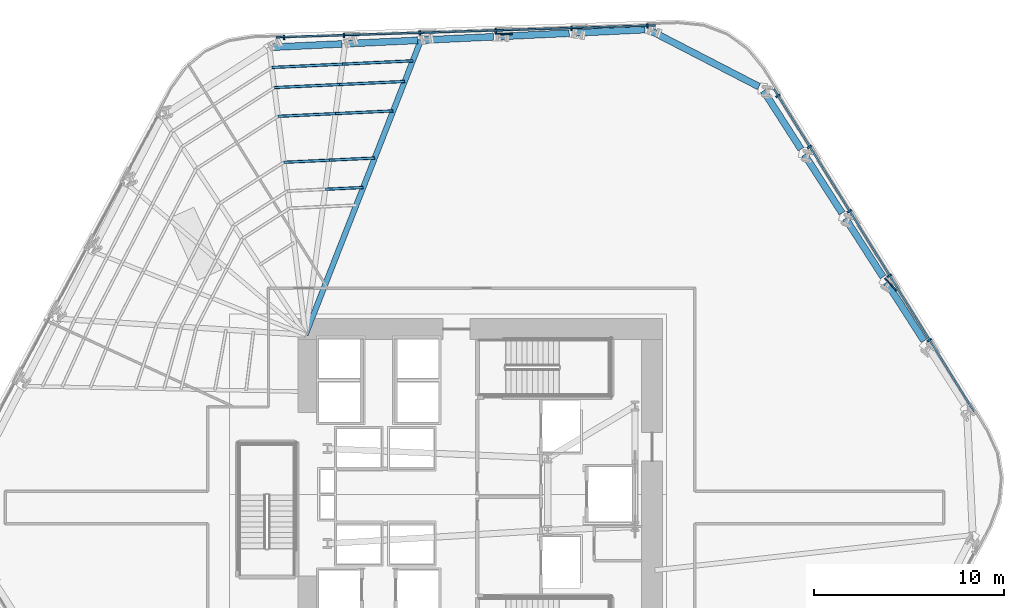
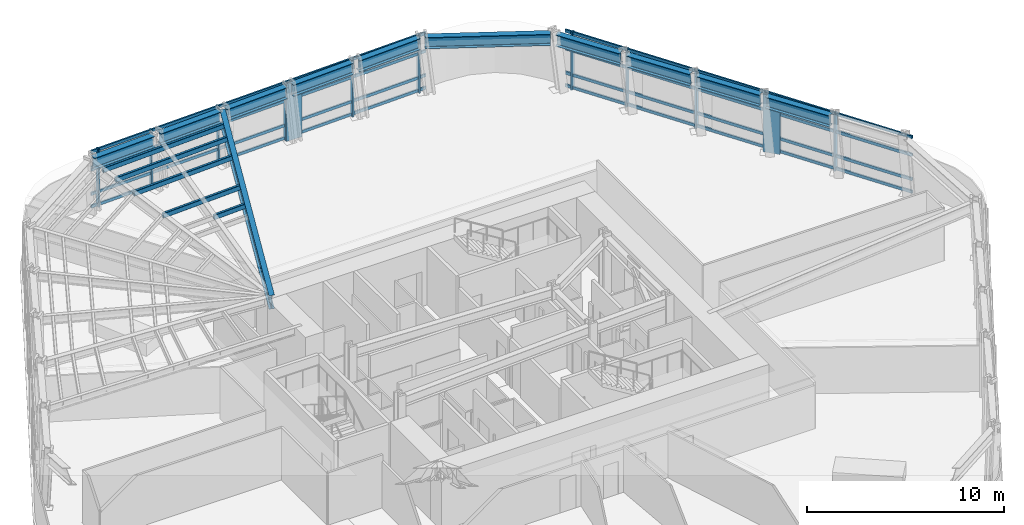
# One storey, part 6 of 15: 30 members, 11 beams, 2 elements without a shape of their own.
"""IFC4 building model written with IfcOpenShell, lengths in metres."""

from ifc_helpers import new_model, si_unit, direction, frame, origin, origin_2d, place, context, subcontext, project, spatial, rectangle, hollow_rectangle, i_section, extrude, material, layer, layer_set, material_profile, profile_set, type_object, element, aggregate, save


model = new_model("IFC4")

# Units and contexts
model_context = context("Model", 3, precision=1e-05, world=origin(), true_north=direction((0.0, 1.0)))
body_context = subcontext(model_context, "Body", "Model", "MODEL_VIEW")
ifc_project = project(units=[si_unit("LENGTHUNIT", "METRE"), si_unit("AREAUNIT", "SQUARE_METRE"), si_unit("VOLUMEUNIT", "CUBIC_METRE"), si_unit("PLANEANGLEUNIT", "RADIAN"), si_unit("MASSUNIT", "GRAM", prefix="KILO")], contexts=[model_context])

# Site, building, storey
site_placement = place(None, origin())
site = spatial("IfcSite", under=ifc_project, at=site_placement, CompositionType="ELEMENT")
building_placement = place(site_placement, origin())
building = spatial("IfcBuilding", under=site, at=building_placement, Name="Valkerne Bourse Tower", CompositionType="ELEMENT")
storey_placement = place(building_placement, frame((0.0, 0.0, 31.60009765625)))
storey = spatial("IfcBuildingStorey", under=building, at=storey_placement, Name="L07", CompositionType="ELEMENT", Elevation=31.60009765625)

# Beams
ifc_material_1 = material(Name="Steel ASTM A992", Category="steel")
ifc_material_profile_1 = material_profile(ifc_material_1, i_section(OverallWidth=0.358154296875, OverallDepth=0.7060546875, WebThickness=0.018310546875, FlangeThickness=0.0302734375, FilletRadius=0.02294921875, at=origin_2d()), Name="W27X178")
ifc_profile_set_1 = profile_set([ifc_material_profile_1], Name="Steel ASTM A992")
beam_type_1 = type_object("IfcBeamType", Name="BM-W27X178", PredefinedType="SPANDREL", material=ifc_profile_set_1)
for number, where, z_axis, x_axis, name in (
    (1, (70.169921875, 35.082275390625, 3.226806640625), (-0.540301877789, 0.841471259674, 0.0), (-0.841471259674, -0.540301877789, 0.0), "L07 Hexagonal Spandrel Ring Beam 01"),
    (2, (68.010986328125, 38.44482421875, 3.226806640625), (-0.540224232621, 0.841521109949, 0.0), (-0.841521109949, -0.540224232621, 0.0), "L07 Hexagonal Spandrel Ring Beam 02"),
    (3, (65.852294921875, 41.8076171875, 3.226806640625), (-0.540301877789, 0.841471259674, 0.0), (-0.841471259674, -0.540301877789, 0.0), "L07 Hexagonal Spandrel Ring Beam 03"),
):
    element("IfcBeam", number, at=place(storey_placement, frame(where, z_axis=z_axis, x_axis=x_axis)), inside=storey, type_object=beam_type_1, Name=name, PredefinedType="SPANDREL", context=body_context, shape_type="SweptSolid", body=[
        extrude(i_section(OverallWidth=0.358154296875, OverallDepth=0.7060546875, WebThickness=0.018310546875, FlangeThickness=0.0302734375, FilletRadius=0.02294921875, at=origin_2d()), origin(), (0.0, 0.0, 1.0), 3.656005859375),
    ])
beam_1_placement = place(storey_placement, frame((63.693359375, 45.17041015625, 3.226806640625), z_axis=(-0.540254591378, 0.841501620019, 0.0), x_axis=(-0.841501620019, -0.540254591378, 0.0)))
element("IfcBeam", 4, at=beam_1_placement, inside=storey, type_object=beam_type_1, Name="L07 Hexagonal Spandrel Ring Beam 04", PredefinedType="SPANDREL", context=body_context, shape_type="SweptSolid", body=[
    extrude(i_section(OverallWidth=0.358154296875, OverallDepth=0.7060546875, WebThickness=0.018310546875, FlangeThickness=0.0302734375, FilletRadius=0.02294921875, at=origin_2d()), origin(), (0.0, 0.0, 1.0), 3.65576171875),
])
beam_2_placement = place(storey_placement, frame((61.475341796875, 48.468017578125, 3.226806640625), z_axis=(-0.888629699754, 0.458625399116, 0.0), x_axis=(-0.458625399116, -0.888629699754, 0.0)))
element("IfcBeam", 5, at=beam_2_placement, inside=storey, type_object=beam_type_1, Name="L07 Hexagonal Spandrel Ring Beam 05", PredefinedType="SPANDREL", context=body_context, shape_type="SweptSolid", body=[
    extrude(i_section(OverallWidth=0.358154296875, OverallDepth=0.7060546875, WebThickness=0.018310546875, FlangeThickness=0.0302734375, FilletRadius=0.02294921875, at=origin_2d()), origin(), (0.0, 0.0, 1.0), 6.38916015625),
])
beam_3_placement = place(storey_placement, frame((55.47705078125, 51.468017578125, 3.226806640625), z_axis=(-0.998891135825, -0.047079706562, 0.0), x_axis=(0.047079706562, -0.998891135825, 0.0)))
element("IfcBeam", 6, at=beam_3_placement, inside=storey, type_object=beam_type_1, Name="L07 Hexagonal Spandrel Ring Beam 06", PredefinedType="SPANDREL", context=body_context, shape_type="SweptSolid", body=[
    extrude(i_section(OverallWidth=0.358154296875, OverallDepth=0.7060546875, WebThickness=0.018310546875, FlangeThickness=0.0302734375, FilletRadius=0.02294921875, at=origin_2d()), origin(), (0.0, 0.0, 1.0), 3.656005859375),
])
for number, where, z_axis, x_axis, name in (
    (7, (51.485595703125, 51.27978515625, 3.226806640625), (-0.998891283828, -0.047076566288, 0.0), (0.047076566288, -0.998891283828, 0.0), "L07 Hexagonal Spandrel Ring Beam 07"),
    (8, (47.493896484375, 51.091552734375, 3.226806640625), (-0.998891283828, -0.047076566288, 0.0), (0.047076566288, -0.998891283828, 0.0), "L07 Hexagonal Spandrel Ring Beam 08"),
):
    element("IfcBeam", number, at=place(storey_placement, frame(where, z_axis=z_axis, x_axis=x_axis)), inside=storey, type_object=beam_type_1, Name=name, PredefinedType="SPANDREL", context=body_context, shape_type="SweptSolid", body=[
        extrude(i_section(OverallWidth=0.358154296875, OverallDepth=0.7060546875, WebThickness=0.018310546875, FlangeThickness=0.0302734375, FilletRadius=0.02294921875, at=origin_2d()), origin(), (0.0, 0.0, 1.0), 3.65625),
    ])
for number, where, z_axis, x_axis, name in (
    (9, (43.502197265625, 50.9033203125, 3.226806640625), (-0.998891135825, -0.047079706562, 0.0), (0.047079706562, -0.998891135825, 0.0), "L07 Hexagonal Spandrel Ring Beam 09"),
    (10, (39.5107421875, 50.715087890625, 3.226806640625), (-0.998891135825, -0.047079706562, 0.0), (0.047079706562, -0.998891135825, 0.0), "L07 Hexagonal Spandrel Ring Beam 10"),
):
    element("IfcBeam", number, at=place(storey_placement, frame(where, z_axis=z_axis, x_axis=x_axis)), inside=storey, type_object=beam_type_1, Name=name, PredefinedType="SPANDREL", context=body_context, shape_type="SweptSolid", body=[
        extrude(i_section(OverallWidth=0.358154296875, OverallDepth=0.7060546875, WebThickness=0.018310546875, FlangeThickness=0.0302734375, FilletRadius=0.02294921875, at=origin_2d()), origin(), (0.0, 0.0, 1.0), 3.656005859375),
    ])
ifc_material_profile_2 = material_profile(ifc_material_1, i_section(OverallWidth=0.2919921875, OverallDepth=0.8583984375, WebThickness=0.01708984375, FlangeThickness=0.031005859375, FilletRadius=0.025390625, at=origin_2d()), Name="W33X169")
ifc_profile_set_2 = profile_set([ifc_material_profile_2], Name="Steel ASTM A992")
beam_type_2 = type_object("IfcBeamType", Name="BM-W33X169", PredefinedType="BEAM", material=ifc_profile_set_2)
beam_4_placement = place(storey_placement, frame((43.672119140625, 50.911376953125, 3.150634765625), z_axis=(-0.364519816497, -0.931195631101, 0.0), x_axis=(0.931195631101, -0.364519816497, 0.0)))
element("IfcBeam", 11, at=beam_4_placement, inside=storey, type_object=beam_type_2, Name="L07 Radial Composite Floor Beam 09", PredefinedType="BEAM", context=body_context, shape_type="SweptSolid", body=[
    extrude(i_section(OverallWidth=0.2919921875, OverallDepth=0.8583984375, WebThickness=0.01708984375, FlangeThickness=0.031005859375, FilletRadius=0.025390625, at=origin_2d()), origin(), (0.0, 0.0, 1.0), 16.657470703125),
])

# Curtain wall, members
ifc_material_2 = material(Name="Aluminium AA 6063-T6", Category="aluminium")
ifc_layer = layer(ifc_material_2, 0.22509765625)
ifc_layer_set = layer_set([ifc_layer], Name="Aluminium AA 6063-T6")
curtain_wall_type = type_object("IfcCurtainWallType", Name="CW-01", PredefinedType="NOTDEFINED", material=ifc_layer_set)
curtain_wall_1_placement = place(storey_placement, origin())
curtain_wall_1 = element("IfcCurtainWall", 12, at=curtain_wall_1_placement, inside=storey, type_object=curtain_wall_type, Name="L07 Hexagonal Stick Curtain Wall Face 1", PredefinedType="NOTDEFINED")
ifc_material_profile_3 = material_profile(ifc_material_2, rectangle(XDim=0.090087890625, YDim=0.239990234375, at=origin_2d()), Name="CWM-90X240")
ifc_profile_set_3 = profile_set([ifc_material_profile_3], Name="Aluminium AA 6063-T6")
member_type_1 = type_object("IfcMemberType", Name="CW-MUL-240X90", PredefinedType="MULLION", material=ifc_profile_set_3)
member_1_placement = place(storey_placement, frame((70.450927734375, 35.105712890625, 0.0), z_axis=(0.0, 0.0, 1.0), x_axis=(-0.52696099926, 0.849889466495, 0.0)))
member_1 = element("IfcMember", 13, at=member_1_placement, type_object=member_type_1, Name="CW-L07-F1 Jamb Mullion 01A", PredefinedType="MULLION", context=body_context, shape_type="SweptSolid", body=[
    extrude(rectangle(XDim=0.090087890625, YDim=0.239990234375, at=origin_2d()), origin(), (0.0, 0.0, 1.0), 3.579833984375),
])
member_2_placement = place(storey_placement, frame((68.34521484375, 38.501953125, 0.0), z_axis=(0.0, 0.0, 1.0), x_axis=(-0.52696786733, 0.849885208014, 0.0)))
member_2 = element("IfcMember", 14, at=member_2_placement, type_object=member_type_1, Name="CW-L07-F1 Jamb Mullion 02A", PredefinedType="MULLION", context=body_context, shape_type="SweptSolid", body=[
    extrude(rectangle(XDim=0.090087890625, YDim=0.239990234375, at=origin_2d()), origin(), (0.0, 0.0, 1.0), 3.579833984375),
])
member_3_placement = place(storey_placement, frame((66.239501953125, 41.898193359375, 0.0), z_axis=(0.0, 0.0, 1.0), x_axis=(-0.526949791595, 0.849896415534, 0.0)))
member_3 = element("IfcMember", 15, at=member_3_placement, type_object=member_type_1, Name="CW-L07-F1 Jamb Mullion 03A", PredefinedType="MULLION", context=body_context, shape_type="SweptSolid", body=[
    extrude(rectangle(XDim=0.090087890625, YDim=0.239990234375, at=origin_2d()), origin(), (0.0, 0.0, 1.0), 3.579833984375),
])
member_4_placement = place(storey_placement, frame((64.1337890625, 45.294189453125, 0.0), z_axis=(0.0, 0.0, 1.0), x_axis=(-0.52696099926, 0.849889466495, 0.0)))
member_4 = element("IfcMember", 16, at=member_4_placement, type_object=member_type_1, Name="CW-L07-F1 Jamb Mullion 04A", PredefinedType="MULLION", context=body_context, shape_type="SweptSolid", body=[
    extrude(rectangle(XDim=0.090087890625, YDim=0.239990234375, at=origin_2d()), origin(), (0.0, 0.0, 1.0), 3.579833984375),
])
member_5_placement = place(storey_placement, frame((62.470703125, 47.9765625, 0.0), z_axis=(0.0, 0.0, 1.0), x_axis=(-0.52696099926, 0.849889466495, 0.0)))
member_5 = element("IfcMember", 17, at=member_5_placement, type_object=member_type_1, Name="CW-L07-F1 Jamb Mullion 04B", PredefinedType="MULLION", context=body_context, shape_type="SweptSolid", body=[
    extrude(rectangle(XDim=0.090087890625, YDim=0.239990234375, at=origin_2d()), origin(), (0.0, 0.0, 1.0), 3.579833984375),
])

curtain_wall_2_placement = place(storey_placement, origin())
curtain_wall_2 = element("IfcCurtainWall", 18, at=curtain_wall_2_placement, inside=storey, type_object=curtain_wall_type, Name="L07 Hexagonal Stick Curtain Wall Face 2", PredefinedType="NOTDEFINED")
member_6_placement = place(storey_placement, frame((55.599609375, 51.66064453125, 0.0), z_axis=(0.0, 0.0, 1.0), x_axis=(-0.999506690045, -0.031406632347, 0.0)))
member_6 = element("IfcMember", 19, at=member_6_placement, type_object=member_type_1, Name="CW-L07-F2 Jamb Mullion 00A", PredefinedType="MULLION", context=body_context, shape_type="SweptSolid", body=[
    extrude(rectangle(XDim=0.090087890625, YDim=0.239990234375, at=origin_2d()), origin(), (0.0, 0.0, 1.0), 3.579833984375),
])
member_7_placement = place(storey_placement, frame((51.605712890625, 51.53515625, 0.0), z_axis=(0.0, 0.0, 1.0), x_axis=(-0.999506714728, -0.031405846795, 0.0)))
member_7 = element("IfcMember", 20, at=member_7_placement, type_object=member_type_1, Name="CW-L07-F2 Jamb Mullion 01A", PredefinedType="MULLION", context=body_context, shape_type="SweptSolid", body=[
    extrude(rectangle(XDim=0.090087890625, YDim=0.239990234375, at=origin_2d()), origin(), (0.0, 0.0, 1.0), 3.579833984375),
])
member_8_placement = place(storey_placement, frame((47.611572265625, 51.40966796875, 0.0), z_axis=(0.0, 0.0, 1.0), x_axis=(-0.999506690045, -0.031406632347, 0.0)))
member_8 = element("IfcMember", 21, at=member_8_placement, type_object=member_type_1, Name="CW-L07-F2 Jamb Mullion 02A", PredefinedType="MULLION", context=body_context, shape_type="SweptSolid", body=[
    extrude(rectangle(XDim=0.090087890625, YDim=0.239990234375, at=origin_2d()), origin(), (0.0, 0.0, 1.0), 3.579833984375),
])
member_9_placement = place(storey_placement, frame((43.61767578125, 51.2841796875, 0.0), z_axis=(0.0, 0.0, 1.0), x_axis=(-0.999506690045, -0.031406632347, 0.0)))
member_9 = element("IfcMember", 22, at=member_9_placement, type_object=member_type_1, Name="CW-L07-F2 Jamb Mullion 03A", PredefinedType="MULLION", context=body_context, shape_type="SweptSolid", body=[
    extrude(rectangle(XDim=0.090087890625, YDim=0.239990234375, at=origin_2d()), origin(), (0.0, 0.0, 1.0), 3.579833984375),
])
member_10_placement = place(storey_placement, frame((39.62353515625, 51.15869140625, 0.0), z_axis=(0.0, 0.0, 1.0), x_axis=(-0.999506690045, -0.031406632347, 0.0)))
member_10 = element("IfcMember", 23, at=member_10_placement, type_object=member_type_1, Name="CW-L07-F2 Jamb Mullion 04A", PredefinedType="MULLION", context=body_context, shape_type="SweptSolid", body=[
    extrude(rectangle(XDim=0.090087890625, YDim=0.239990234375, at=origin_2d()), origin(), (0.0, 0.0, 1.0), 3.579833984375),
])
member_11_placement = place(storey_placement, frame((36.46923828125, 51.0595703125, 0.0), z_axis=(0.0, 0.0, 1.0), x_axis=(-0.999506690045, -0.031406632347, 0.0)))
member_11 = element("IfcMember", 24, at=member_11_placement, type_object=member_type_1, Name="CW-L07-F2 Jamb Mullion 04B", PredefinedType="MULLION", context=body_context, shape_type="SweptSolid", body=[
    extrude(rectangle(XDim=0.090087890625, YDim=0.239990234375, at=origin_2d()), origin(), (0.0, 0.0, 1.0), 3.579833984375),
])

# Member
ifc_material_profile_4 = material_profile(ifc_material_2, rectangle(XDim=0.090087890625, YDim=0.179931640625, at=origin_2d()), Name="CWT-90X180")
ifc_profile_set_4 = profile_set([ifc_material_profile_4], Name="Aluminium AA 6063-T6")
member_type_2 = type_object("IfcMemberType", Name="CW-TRN-180X90", PredefinedType="USERDEFINED", material=ifc_profile_set_4)
member_12_placement = place(storey_placement, frame((72.795166015625, 31.36328125, 0.119873046875), z_axis=(-0.526958557321, 0.849890980577, 0.0), x_axis=(-0.849890980577, -0.526958557321, 0.0)))
member_12 = element("IfcMember", 25, at=member_12_placement, type_object=member_type_2, Name="CW-L07-F1 Continuous Face Transom 1", ObjectType="TRANSOM", PredefinedType="USERDEFINED", context=body_context, shape_type="SweptSolid", body=[
    extrude(rectangle(XDim=0.090087890625, YDim=0.179931640625, at=origin_2d()), origin(), (0.0, 0.0, 1.0), 19.97998046875),
])

member_13_placement = place(storey_placement, frame((72.795166015625, 31.36328125, 0.89990234375), z_axis=(-0.526958557321, 0.849890980577, 0.0), x_axis=(-0.849890980577, -0.526958557321, 0.0)))
member_13 = element("IfcMember", 26, at=member_13_placement, type_object=member_type_2, Name="CW-L07-F1 Continuous Face Transom 2", ObjectType="TRANSOM", PredefinedType="USERDEFINED", context=body_context, shape_type="SweptSolid", body=[
    extrude(rectangle(XDim=0.090087890625, YDim=0.179931640625, at=origin_2d()), origin(), (0.0, 0.0, 1.0), 19.97998046875),
])

member_14_placement = place(storey_placement, frame((72.795166015625, 31.36328125, 2.39990234375), z_axis=(-0.526958557321, 0.849890980577, 0.0), x_axis=(-0.849890980577, -0.526958557321, 0.0)))
member_14 = element("IfcMember", 27, at=member_14_placement, type_object=member_type_2, Name="CW-L07-F1 Continuous Face Transom 3", ObjectType="TRANSOM", PredefinedType="USERDEFINED", context=body_context, shape_type="SweptSolid", body=[
    extrude(rectangle(XDim=0.090087890625, YDim=0.179931640625, at=origin_2d()), origin(), (0.0, 0.0, 1.0), 19.97998046875),
])

member_15_placement = place(storey_placement, frame((72.795166015625, 31.36328125, 3.5), z_axis=(-0.526958557321, 0.849890980577, 0.0), x_axis=(-0.849890980577, -0.526958557321, 0.0)))
member_15 = element("IfcMember", 28, at=member_15_placement, type_object=member_type_2, Name="CW-L07-F1 Continuous Face Transom 4", ObjectType="TRANSOM", PredefinedType="USERDEFINED", context=body_context, shape_type="SweptSolid", body=[
    extrude(rectangle(XDim=0.090087890625, YDim=0.179931640625, at=origin_2d()), origin(), (0.0, 0.0, 1.0), 19.97998046875),
])

aggregate(curtain_wall_1, [member_12, member_13, member_14, member_15, member_1, member_2, member_3, member_4, member_5])

member_16_placement = place(storey_placement, frame((56.018798828125, 51.69384765625, 0.119873046875), z_axis=(-0.999506780653, -0.031403748625, 0.0), x_axis=(0.031403748625, -0.999506780653, 0.0)))
member_16 = element("IfcMember", 29, at=member_16_placement, type_object=member_type_2, Name="CW-L07-F2 Continuous Face Transom 1", ObjectType="TRANSOM", PredefinedType="USERDEFINED", context=body_context, shape_type="SweptSolid", body=[
    extrude(rectangle(XDim=0.090087890625, YDim=0.179931640625, at=origin_2d()), origin(), (0.0, 0.0, 1.0), 19.979736328125),
])

member_17_placement = place(storey_placement, frame((56.018798828125, 51.69384765625, 0.89990234375), z_axis=(-0.999506780653, -0.031403748625, 0.0), x_axis=(0.031403748625, -0.999506780653, 0.0)))
member_17 = element("IfcMember", 30, at=member_17_placement, type_object=member_type_2, Name="CW-L07-F2 Continuous Face Transom 2", ObjectType="TRANSOM", PredefinedType="USERDEFINED", context=body_context, shape_type="SweptSolid", body=[
    extrude(rectangle(XDim=0.090087890625, YDim=0.179931640625, at=origin_2d()), origin(), (0.0, 0.0, 1.0), 19.979736328125),
])

member_18_placement = place(storey_placement, frame((56.018798828125, 51.69384765625, 2.39990234375), z_axis=(-0.999506780653, -0.031403748625, 0.0), x_axis=(0.031403748625, -0.999506780653, 0.0)))
member_18 = element("IfcMember", 31, at=member_18_placement, type_object=member_type_2, Name="CW-L07-F2 Continuous Face Transom 3", ObjectType="TRANSOM", PredefinedType="USERDEFINED", context=body_context, shape_type="SweptSolid", body=[
    extrude(rectangle(XDim=0.090087890625, YDim=0.179931640625, at=origin_2d()), origin(), (0.0, 0.0, 1.0), 19.979736328125),
])

member_19_placement = place(storey_placement, frame((56.018798828125, 51.69384765625, 3.5), z_axis=(-0.999506780653, -0.031403748625, 0.0), x_axis=(0.031403748625, -0.999506780653, 0.0)))
member_19 = element("IfcMember", 32, at=member_19_placement, type_object=member_type_2, Name="CW-L07-F2 Continuous Face Transom 4", ObjectType="TRANSOM", PredefinedType="USERDEFINED", context=body_context, shape_type="SweptSolid", body=[
    extrude(rectangle(XDim=0.090087890625, YDim=0.179931640625, at=origin_2d()), origin(), (0.0, 0.0, 1.0), 19.979736328125),
])

aggregate(curtain_wall_2, [member_16, member_17, member_18, member_19, member_6, member_7, member_8, member_9, member_10, member_11])

# Members
ifc_material_3 = material(Name="Bronze Anodised Aluminium AA 6063-T6", Category="aluminium")
ifc_material_profile_5 = material_profile(ifc_material_3, rectangle(XDim=0.070068359375, YDim=0.89990234375, at=origin_2d()), Name="FIN-70X900")
ifc_profile_set_5 = profile_set([ifc_material_profile_5], Name="Bronze Anodised Aluminium AA 6063-T6")
member_type_3 = type_object("IfcMemberType", Name="FIN-SOLAR-900", PredefinedType="USERDEFINED", material=ifc_profile_set_5)
for number, where, z_axis, x_axis, name in (
    (33, (68.413818359375, 38.050048828125, 0.00390625), (0.0, 0.0, 1.0), (0.741325899526, 0.671145223251, 0.0), "L07 Bronze Anodised Solar Fin F1-02"),
    (34, (48.037109375, 51.242919921875, 0.00390625), (0.0, 0.0, 1.0), (0.020638894087, 0.99978699534, 0.0), "L07 Bronze Anodised Solar Fin F2-02"),
):
    element("IfcMember", number, at=place(storey_placement, frame(where, z_axis=z_axis, x_axis=x_axis)), inside=storey, type_object=member_type_3, Name=name, ObjectType="SOLAR_FIN", PredefinedType="USERDEFINED", context=body_context, shape_type="SweptSolid", body=[
        extrude(rectangle(XDim=0.070068359375, YDim=0.89990234375, at=origin_2d()), origin(), (0.0, 0.0, 1.0), 3.572021484375),
    ])
ifc_material_4 = material(Name="Steel ASTM A500 Grade C", Category="steel")
ifc_material_profile_6 = material_profile(ifc_material_4, hollow_rectangle(XDim=0.14990234375, YDim=0.300048828125, WallThickness=0.012451171875, OuterFilletRadius=0.02490234375, at=origin_2d()), Name="HSS300X150X12.5")
ifc_profile_set_6 = profile_set([ifc_material_profile_6], Name="Steel ASTM A500 Grade C")
member_type_4 = type_object("IfcMemberType", Name="MBR-HSS300X150X12.5", PredefinedType="PURLIN", material=ifc_profile_set_6)
member_20_placement = place(storey_placement, frame((40.635986328125, 43.15576171875, 3.419921875), z_axis=(-0.998886860152, -0.04717033619, 0.0), x_axis=(0.04717033619, -0.998886860152, 0.0)))
element("IfcMember", 35, at=member_20_placement, inside=storey, type_object=member_type_4, Name="L07 Secondary Composite Floor Purlin M-09", PredefinedType="PURLIN", context=body_context, shape_type="SweptSolid", body=[
    extrude(hollow_rectangle(XDim=0.14990234375, YDim=0.300048828125, WallThickness=0.012451171875, OuterFilletRadius=0.02490234375, at=origin_2d()), origin(), (0.0, 0.0, 1.0), 1.997802734375),
])
member_21_placement = place(storey_placement, frame((42.21484375, 47.188720703125, 3.419921875), z_axis=(-0.998889678721, -0.047110611809, 0.0), x_axis=(0.047110611809, -0.998889678721, 0.0)))
element("IfcMember", 36, at=member_21_placement, inside=storey, type_object=member_type_4, Name="L07 Secondary Composite Floor Purlin O-09", PredefinedType="PURLIN", context=body_context, shape_type="SweptSolid", body=[
    extrude(hollow_rectangle(XDim=0.14990234375, YDim=0.300048828125, WallThickness=0.012451171875, OuterFilletRadius=0.02490234375, at=origin_2d()), origin(), (0.0, 0.0, 1.0), 3.036865234375),
])
member_22_placement = place(storey_placement, frame((39.181396484375, 47.045654296875, 3.419921875), z_axis=(-0.998889857126, -0.047106828929, 0.0), x_axis=(0.047106828929, -0.998889857126, 0.0)))
element("IfcMember", 37, at=member_22_placement, inside=storey, type_object=member_type_4, Name="L07 Secondary Composite Floor Purlin O-10", PredefinedType="PURLIN", context=body_context, shape_type="SweptSolid", body=[
    extrude(hollow_rectangle(XDim=0.14990234375, YDim=0.300048828125, WallThickness=0.012451171875, OuterFilletRadius=0.02490234375, at=origin_2d()), origin(), (0.0, 0.0, 1.0), 3.037109375),
])
for number, where, z_axis, x_axis, name in (
    (38, (41.243408203125, 44.706787109375, 3.419921875), (-0.998892881135, -0.04704266168, 0.0), (0.04704266168, -0.998892881135, 0.0), "L07 Secondary Composite Floor Purlin Z-09"),
    (39, (38.848388671875, 44.593994140625, 3.419921875), (-0.998888091225, -0.047144259555, 0.0), (0.047144259555, -0.998888091225, 0.0), "L07 Secondary Composite Floor Purlin Z-10"),
):
    element("IfcMember", number, at=place(storey_placement, frame(where, z_axis=z_axis, x_axis=x_axis)), inside=storey, type_object=member_type_4, Name=name, PredefinedType="PURLIN", context=body_context, shape_type="SweptSolid", body=[
        extrude(hollow_rectangle(XDim=0.14990234375, YDim=0.300048828125, WallThickness=0.012451171875, OuterFilletRadius=0.02490234375, at=origin_2d()), origin(), (0.0, 0.0, 1.0), 2.397705078125),
    ])
member_23_placement = place(storey_placement, frame((42.822021484375, 48.73974609375, 3.419921875), z_axis=(-0.998890051357, -0.047102710103, 0.0), x_axis=(0.047102710103, -0.998890051357, 0.0)))
element("IfcMember", 40, at=member_23_placement, inside=storey, type_object=member_type_4, Name="L07 Secondary Composite Floor Purlin T-09", PredefinedType="PURLIN", context=body_context, shape_type="SweptSolid", body=[
    extrude(hollow_rectangle(XDim=0.14990234375, YDim=0.300048828125, WallThickness=0.012451171875, OuterFilletRadius=0.02490234375, at=origin_2d()), origin(), (0.0, 0.0, 1.0), 3.4365234375),
])
member_24_placement = place(storey_placement, frame((39.389404296875, 48.577880859375, 3.419921875), z_axis=(-0.998890208965, -0.047099367651, 0.0), x_axis=(0.047099367651, -0.998890208965, 0.0)))
element("IfcMember", 41, at=member_24_placement, inside=storey, type_object=member_type_4, Name="L07 Secondary Composite Floor Purlin T-10", PredefinedType="PURLIN", context=body_context, shape_type="SweptSolid", body=[
    extrude(hollow_rectangle(XDim=0.14990234375, YDim=0.300048828125, WallThickness=0.012451171875, OuterFilletRadius=0.02490234375, at=origin_2d()), origin(), (0.0, 0.0, 1.0), 3.436767578125),
])
for number, where, z_axis, x_axis, name in (
    (42, (43.2470703125, 49.82568359375, 3.419921875), (-0.998890028274, -0.047103199623, 0.0), (0.047103199623, -0.998890028274, 0.0), "L07 Secondary Composite Floor Purlin U-09"),
    (43, (39.534912109375, 49.650634765625, 3.419921875), (-0.998890028274, -0.047103199623, 0.0), (0.047103199623, -0.998890028274, 0.0), "L07 Secondary Composite Floor Purlin U-10"),
):
    element("IfcMember", number, at=place(storey_placement, frame(where, z_axis=z_axis, x_axis=x_axis)), inside=storey, type_object=member_type_4, Name=name, PredefinedType="PURLIN", context=body_context, shape_type="SweptSolid", body=[
        extrude(hollow_rectangle(XDim=0.14990234375, YDim=0.300048828125, WallThickness=0.012451171875, OuterFilletRadius=0.02490234375, at=origin_2d()), origin(), (0.0, 0.0, 1.0), 3.71630859375),
    ])

save(model, "model.ifc")
